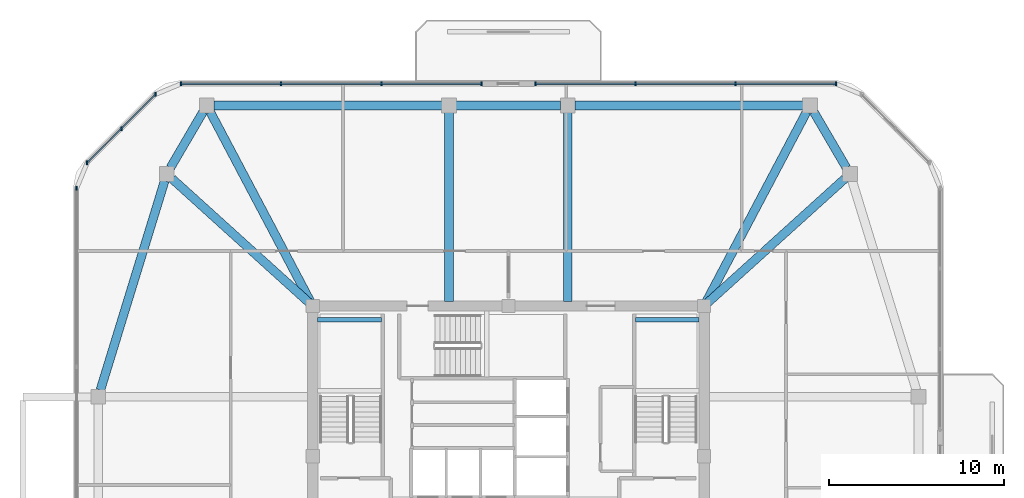
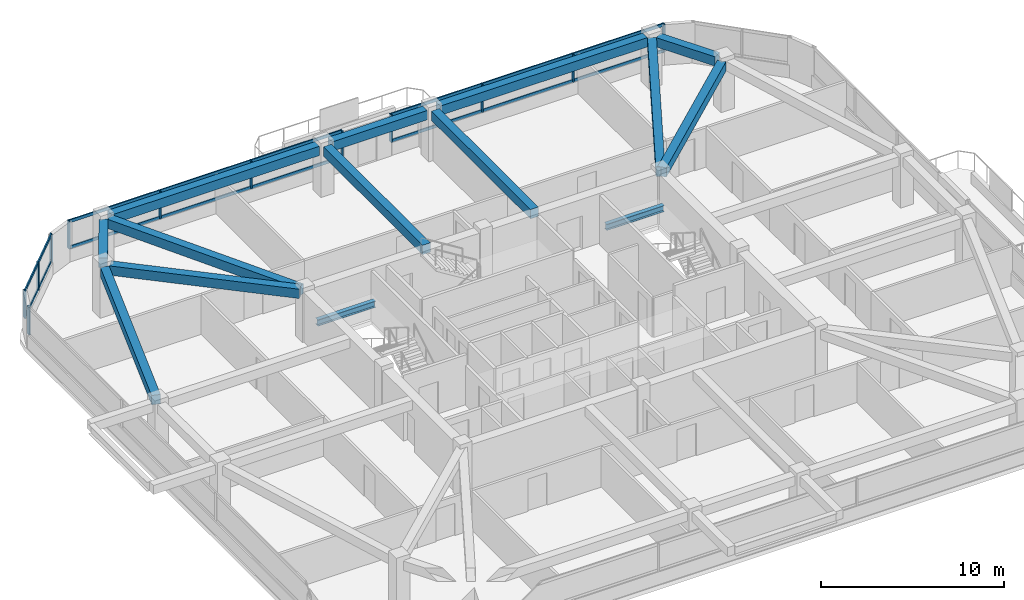
# One storey, part 6 of 14: 18 members, 14 beams, 4 elements without a shape of their own.
"""IFC4 building model written with IfcOpenShell, lengths in metres."""

from ifc_helpers import new_model, si_unit, derived_unit, direction, frame, origin, origin_2d, place, context, subcontext, project, spatial, rectangle, i_section, extrude, material, material_profile, profile_set, type_object, element, aggregate, save


model = new_model("IFC4")

# Units and contexts
model_context = context("Model", 3, precision=1e-05, world=origin(), true_north=direction((0.0, 1.0)))
body_context = subcontext(model_context, "Body", "Model", "MODEL_VIEW")
ifc_project = project(units=[si_unit("LENGTHUNIT", "METRE"), si_unit("AREAUNIT", "SQUARE_METRE"), si_unit("VOLUMEUNIT", "CUBIC_METRE"), si_unit("PLANEANGLEUNIT", "RADIAN"), si_unit("MASSUNIT", "GRAM", prefix="KILO"), derived_unit("THERMALTRANSMITTANCEUNIT", [(si_unit("POWERUNIT", "WATT"), 1), (si_unit("LENGTHUNIT", "METRE"), -2), (si_unit("THERMODYNAMICTEMPERATUREUNIT", "KELVIN"), -1)])], contexts=[model_context])

# Site, building, storey
site_placement = place(None, origin())
site = spatial("IfcSite", under=ifc_project, at=site_placement, CompositionType="ELEMENT")
building_placement = place(site_placement, origin())
building = spatial("IfcBuilding", under=site, at=building_placement, Name="Koralith Skygarden Medical Center", CompositionType="ELEMENT")
storey_placement = place(building_placement, frame((0.0, 0.0, 275.219970703125)))
storey = spatial("IfcBuildingStorey", under=building, at=storey_placement, Name="L71", CompositionType="ELEMENT", Elevation=275.219970703125)

# Curtain wall, members
ifc_material_1 = material(Name="Clear Laminated Glass", Category="glass")
curtain_wall_type = type_object("IfcCurtainWallType", Name="CW-6 Zone 5 Upper Clinical Curtain Wall", PredefinedType="NOTDEFINED", material=ifc_material_1)
curtain_wall_1_placement = place(storey_placement, origin())
curtain_wall_1 = element("IfcCurtainWall", 1, at=curtain_wall_1_placement, inside=storey, type_object=curtain_wall_type, Name="Curtain Wall CW-L71-N-L", PredefinedType="NOTDEFINED")
ifc_material_2 = material(Name="Aluminium 6063-T6", Category="aluminium")
ifc_material_profile_1 = material_profile(ifc_material_2, rectangle(XDim=0.0830078125, YDim=0.219970703125, at=origin_2d()), Name="MUL83X220")
ifc_profile_set_1 = profile_set([ifc_material_profile_1], Name="Aluminium 6063-T6")
member_type_1 = type_object("IfcMemberType", Name="CW-6 Extruded Mullion 83x220", PredefinedType="MULLION", material=ifc_profile_set_1)
member_1_placement = place(storey_placement, frame((55.7451171875, 47.219970703125, 0.85009765625), z_axis=(0.0, 0.0, 1.0), x_axis=(1.0, 0.0, 0.0)))
member_1 = element("IfcMember", 2, at=member_1_placement, type_object=member_type_1, Name="CW-L71-N-L Mullion 1", PredefinedType="MULLION", context=body_context, shape_type="SweptSolid", body=[
    extrude(rectangle(XDim=0.0830078125, YDim=0.219970703125, at=origin_2d()), origin(), (0.0, 0.0, 1.0), 1.83984375),
])
member_2_placement = place(storey_placement, frame((50.010009765625, 47.219970703125, 0.85009765625), z_axis=(0.0, 0.0, 1.0), x_axis=(1.0, 0.0, 0.0)))
member_2 = element("IfcMember", 3, at=member_2_placement, type_object=member_type_1, Name="CW-L71-N-L Mullion 2", PredefinedType="MULLION", context=body_context, shape_type="SweptSolid", body=[
    extrude(rectangle(XDim=0.0830078125, YDim=0.219970703125, at=origin_2d()), origin(), (0.0, 0.0, 1.0), 1.83984375),
])
member_3_placement = place(storey_placement, frame((44.27587890625, 47.219970703125, 0.85009765625), z_axis=(0.0, 0.0, 1.0), x_axis=(1.0, 0.0, 0.0)))
member_3 = element("IfcMember", 4, at=member_3_placement, type_object=member_type_1, Name="CW-L71-N-L Mullion 3", PredefinedType="MULLION", context=body_context, shape_type="SweptSolid", body=[
    extrude(rectangle(XDim=0.0830078125, YDim=0.219970703125, at=origin_2d()), origin(), (0.0, 0.0, 1.0), 1.83984375),
])
member_4_placement = place(storey_placement, frame((38.541015625, 47.219970703125, 0.85009765625), z_axis=(0.0, 0.0, 1.0), x_axis=(1.0, 0.0, 0.0)))
member_4 = element("IfcMember", 5, at=member_4_placement, type_object=member_type_1, Name="CW-L71-N-L Mullion 4", PredefinedType="MULLION", context=body_context, shape_type="SweptSolid", body=[
    extrude(rectangle(XDim=0.0830078125, YDim=0.219970703125, at=origin_2d()), origin(), (0.0, 0.0, 1.0), 1.83984375),
])

curtain_wall_2_placement = place(storey_placement, origin())
curtain_wall_2 = element("IfcCurtainWall", 6, at=curtain_wall_2_placement, inside=storey, type_object=curtain_wall_type, Name="Curtain Wall CW-L71-N-R", PredefinedType="NOTDEFINED")
member_5_placement = place(storey_placement, frame((35.4609375, 47.219970703125, 0.85009765625), z_axis=(0.0, 0.0, 1.0), x_axis=(1.0, 0.0, 0.0)))
member_5 = element("IfcMember", 7, at=member_5_placement, type_object=member_type_1, Name="CW-L71-N-R Mullion 1", PredefinedType="MULLION", context=body_context, shape_type="SweptSolid", body=[
    extrude(rectangle(XDim=0.0830078125, YDim=0.219970703125, at=origin_2d()), origin(), (0.0, 0.0, 1.0), 1.83984375),
])
member_6_placement = place(storey_placement, frame((29.72607421875, 47.219970703125, 0.85009765625), z_axis=(0.0, 0.0, 1.0), x_axis=(1.0, 0.0, 0.0)))
member_6 = element("IfcMember", 8, at=member_6_placement, type_object=member_type_1, Name="CW-L71-N-R Mullion 2", PredefinedType="MULLION", context=body_context, shape_type="SweptSolid", body=[
    extrude(rectangle(XDim=0.0830078125, YDim=0.219970703125, at=origin_2d()), origin(), (0.0, 0.0, 1.0), 1.83984375),
])
member_7_placement = place(storey_placement, frame((23.989990234375, 47.219970703125, 0.85009765625), z_axis=(0.0, 0.0, 1.0), x_axis=(1.0, 0.0, 0.0)))
member_7 = element("IfcMember", 9, at=member_7_placement, type_object=member_type_1, Name="CW-L71-N-R Mullion 3", PredefinedType="MULLION", context=body_context, shape_type="SweptSolid", body=[
    extrude(rectangle(XDim=0.0830078125, YDim=0.219970703125, at=origin_2d()), origin(), (0.0, 0.0, 1.0), 1.83984375),
])
member_8_placement = place(storey_placement, frame((18.2548828125, 47.219970703125, 0.85009765625), z_axis=(0.0, 0.0, 1.0), x_axis=(1.0, 0.0, 0.0)))
member_8 = element("IfcMember", 10, at=member_8_placement, type_object=member_type_1, Name="CW-L71-N-R Mullion 4", PredefinedType="MULLION", context=body_context, shape_type="SweptSolid", body=[
    extrude(rectangle(XDim=0.0830078125, YDim=0.219970703125, at=origin_2d()), origin(), (0.0, 0.0, 1.0), 1.83984375),
])

curtain_wall_3_placement = place(storey_placement, origin())
curtain_wall_3 = element("IfcCurtainWall", 11, at=curtain_wall_3_placement, inside=storey, type_object=curtain_wall_type, Name="Curtain Wall CW-L71-NW", PredefinedType="NOTDEFINED")
member_9_placement = place(storey_placement, frame((16.803955078125, 46.618896484375, 0.85009765625), z_axis=(0.0, 0.0, 1.0), x_axis=(1.0, 0.0, 0.0)))
member_9 = element("IfcMember", 12, at=member_9_placement, type_object=member_type_1, Name="CW-L71-NW Mullion 1", PredefinedType="MULLION", context=body_context, shape_type="SweptSolid", body=[
    extrude(rectangle(XDim=0.0830078125, YDim=0.219970703125, at=origin_2d()), origin(), (0.0, 0.0, 1.0), 1.83984375),
])
member_10_placement = place(storey_placement, frame((14.842041015625, 44.656982421875, 0.85009765625), z_axis=(0.0, 0.0, 1.0), x_axis=(1.0, 0.0, 0.0)))
member_10 = element("IfcMember", 13, at=member_10_placement, type_object=member_type_1, Name="CW-L71-NW Mullion 2", PredefinedType="MULLION", context=body_context, shape_type="SweptSolid", body=[
    extrude(rectangle(XDim=0.0830078125, YDim=0.219970703125, at=origin_2d()), origin(), (0.0, 0.0, 1.0), 1.83984375),
])
member_11_placement = place(storey_placement, frame((12.881103515625, 42.696044921875, 0.85009765625), z_axis=(0.0, 0.0, 1.0), x_axis=(1.0, 0.0, 0.0)))
member_11 = element("IfcMember", 14, at=member_11_placement, type_object=member_type_1, Name="CW-L71-NW Mullion 3", PredefinedType="MULLION", context=body_context, shape_type="SweptSolid", body=[
    extrude(rectangle(XDim=0.0830078125, YDim=0.219970703125, at=origin_2d()), origin(), (0.0, 0.0, 1.0), 1.83984375),
])

# Curtain wall, member
curtain_wall_4_placement = place(storey_placement, origin())
curtain_wall_4 = element("IfcCurtainWall", 15, at=curtain_wall_4_placement, inside=storey, type_object=curtain_wall_type, Name="Curtain Wall CW-L71-W", PredefinedType="NOTDEFINED")
member_12_placement = place(storey_placement, frame((12.280029296875, 41.2451171875, 0.85009765625), z_axis=(0.0, 0.0, 1.0), x_axis=(1.0, 0.0, 0.0)))
member_12 = element("IfcMember", 16, at=member_12_placement, type_object=member_type_1, Name="CW-L71-W Mullion 1", PredefinedType="MULLION", context=body_context, shape_type="SweptSolid", body=[
    extrude(rectangle(XDim=0.0830078125, YDim=0.219970703125, at=origin_2d()), origin(), (0.0, 0.0, 1.0), 1.83984375),
])
aggregate(curtain_wall_4, [member_12])

# Member
ifc_material_profile_2 = material_profile(ifc_material_2, rectangle(XDim=0.077880859375, YDim=0.197998046875, at=origin_2d()), Name="TRN78X198")
ifc_profile_set_2 = profile_set([ifc_material_profile_2], Name="Aluminium 6063-T6")
member_type_2 = type_object("IfcMemberType", Name="CW-6 Thermal Transom 78x198", PredefinedType="USERDEFINED", material=ifc_profile_set_2)
member_13_placement = place(storey_placement, frame((55.7451171875, 47.219970703125, 0.900146484375), z_axis=(-1.0, 0.0, 0.0), x_axis=(0.0, -1.0, 0.0)))
member_13 = element("IfcMember", 17, at=member_13_placement, type_object=member_type_2, Name="CW-L71-N-L Transom 1", ObjectType="TRANSOM", PredefinedType="USERDEFINED", context=body_context, shape_type="SweptSolid", body=[
    extrude(rectangle(XDim=0.077880859375, YDim=0.197998046875, at=origin_2d()), origin(), (0.0, 0.0, 1.0), 17.2041015625),
])

member_14_placement = place(storey_placement, frame((55.7451171875, 47.219970703125, 2.64013671875), z_axis=(-1.0, 0.0, 0.0), x_axis=(0.0, -1.0, 0.0)))
member_14 = element("IfcMember", 18, at=member_14_placement, type_object=member_type_2, Name="CW-L71-N-L Transom 2", ObjectType="TRANSOM", PredefinedType="USERDEFINED", context=body_context, shape_type="SweptSolid", body=[
    extrude(rectangle(XDim=0.077880859375, YDim=0.197998046875, at=origin_2d()), origin(), (0.0, 0.0, 1.0), 17.2041015625),
])

aggregate(curtain_wall_1, [member_1, member_2, member_3, member_4, member_13, member_14])

member_15_placement = place(storey_placement, frame((35.4609375, 47.219970703125, 0.900146484375), z_axis=(-1.0, 0.0, 0.0), x_axis=(0.0, -1.0, 0.0)))
member_15 = element("IfcMember", 19, at=member_15_placement, type_object=member_type_2, Name="CW-L71-N-R Transom 1", ObjectType="TRANSOM", PredefinedType="USERDEFINED", context=body_context, shape_type="SweptSolid", body=[
    extrude(rectangle(XDim=0.077880859375, YDim=0.197998046875, at=origin_2d()), origin(), (0.0, 0.0, 1.0), 17.2060546875),
])

member_16_placement = place(storey_placement, frame((35.4609375, 47.219970703125, 2.64013671875), z_axis=(-1.0, 0.0, 0.0), x_axis=(0.0, -1.0, 0.0)))
member_16 = element("IfcMember", 20, at=member_16_placement, type_object=member_type_2, Name="CW-L71-N-R Transom 2", ObjectType="TRANSOM", PredefinedType="USERDEFINED", context=body_context, shape_type="SweptSolid", body=[
    extrude(rectangle(XDim=0.077880859375, YDim=0.197998046875, at=origin_2d()), origin(), (0.0, 0.0, 1.0), 17.2060546875),
])

aggregate(curtain_wall_2, [member_5, member_6, member_7, member_8, member_15, member_16])

member_17_placement = place(storey_placement, frame((16.803955078125, 46.618896484375, 0.900146484375), z_axis=(-0.707106781187, -0.707106781187, 0.0), x_axis=(0.707106781187, -0.707106781187, 0.0)))
member_17 = element("IfcMember", 21, at=member_17_placement, type_object=member_type_2, Name="CW-L71-NW Transom 1", ObjectType="TRANSOM", PredefinedType="USERDEFINED", context=body_context, shape_type="SweptSolid", body=[
    extrude(rectangle(XDim=0.077880859375, YDim=0.197998046875, at=origin_2d()), origin(), (0.0, 0.0, 1.0), 5.5478515625),
])

member_18_placement = place(storey_placement, frame((16.803955078125, 46.618896484375, 2.64013671875), z_axis=(-0.707106781187, -0.707106781187, 0.0), x_axis=(0.707106781187, -0.707106781187, 0.0)))
member_18 = element("IfcMember", 22, at=member_18_placement, type_object=member_type_2, Name="CW-L71-NW Transom 2", ObjectType="TRANSOM", PredefinedType="USERDEFINED", context=body_context, shape_type="SweptSolid", body=[
    extrude(rectangle(XDim=0.077880859375, YDim=0.197998046875, at=origin_2d()), origin(), (0.0, 0.0, 1.0), 5.5478515625),
])

aggregate(curtain_wall_3, [member_9, member_10, member_11, member_17, member_18])

# Beams
ifc_material_3 = material(Name="Steel ASTM A992 Grade 50", Category="steel")
ifc_material_profile_3 = material_profile(ifc_material_3, i_section(OverallWidth=0.260009765625, OverallDepth=0.4150390625, WebThickness=0.010009765625, FlangeThickness=0.016845703125, at=origin_2d()), Name="W16X67")
ifc_profile_set_3 = profile_set([ifc_material_profile_3], Name="Steel ASTM A992 Grade 50")
beam_type_1 = type_object("IfcBeamType", Name="Clinical Floor Joist W16X67", PredefinedType="JOIST", material=ifc_profile_set_3)
for number, where, z_axis, x_axis, name in (
    (23, (26.080078125, 33.699951171875, 1.39306640625), (1.0, 0.0, 0.0), (0.0, 1.0, 0.0), "L71 Stair ST1 Half-Landing Support Beam 1B"),
    (24, (44.280029296875, 33.699951171875, 1.39306640625), (1.0, 0.0, 0.0), (0.0, 1.0, 0.0), "L71 Stair ST2 Half-Landing Support Beam 1B"),
):
    element("IfcBeam", number, at=place(storey_placement, frame(where, z_axis=z_axis, x_axis=x_axis)), inside=storey, type_object=beam_type_1, Name=name, PredefinedType="JOIST", context=body_context, shape_type="SweptSolid", body=[
        extrude(i_section(OverallWidth=0.260009765625, OverallDepth=0.4150390625, WebThickness=0.010009765625, FlangeThickness=0.016845703125, at=origin_2d()), origin(), (0.0, 0.0, 1.0), 3.639892578125),
    ])
ifc_material_4 = material(Name="Concrete C45/55", Category="concrete")
ifc_material_profile_4 = material_profile(ifc_material_4, rectangle(XDim=0.5, YDim=0.6201171875, at=origin_2d()), Name="RCB500X620")
ifc_profile_set_4 = profile_set([ifc_material_profile_4], Name="Concrete C45/55")
beam_type_2 = type_object("IfcBeamType", Name="Upper Radial Collector Beam RCB500X620", PredefinedType="BEAM", material=ifc_profile_set_4)
beam_1_placement = place(storey_placement, frame((48.385009765625, 34.66796875, 3.010009765625), z_axis=(0.741747768548, 0.670678945438, 0.0), x_axis=(-0.670678945438, 0.741747768548, 0.0)))
element("IfcBeam", 25, at=beam_1_placement, inside=storey, type_object=beam_type_2, Name="L71 Radial Collector Beam RB-10", PredefinedType="BEAM", context=body_context, shape_type="SweptSolid", body=[
    extrude(rectangle(XDim=0.5, YDim=0.6201171875, at=origin_2d()), origin(), (0.0, 0.0, 1.0), 10.611572265625),
])
beam_2_placement = place(storey_placement, frame((48.31689453125, 34.720947265625, 3.010009765625), z_axis=(0.467256895772, 0.884121594213, 0.0), x_axis=(-0.884121594213, 0.467256895772, 0.0)))
element("IfcBeam", 26, at=beam_2_placement, inside=storey, type_object=beam_type_2, Name="L71 Radial Collector Beam RB-11", PredefinedType="BEAM", context=body_context, shape_type="SweptSolid", body=[
    extrude(rectangle(XDim=0.5, YDim=0.6201171875, at=origin_2d()), origin(), (0.0, 0.0, 1.0), 12.3251953125),
])
for number, where, z_axis, x_axis, name in (
    (27, (40.39990234375, 34.75, 3.010009765625), (0.0, 1.0, 0.0), (-1.0, 0.0, 0.0), "L71 Radial Collector Beam RB-12"),
    (28, (33.60009765625, 34.75, 3.010009765625), (0.0, 1.0, 0.0), (-1.0, 0.0, 0.0), "L71 Radial Collector Beam RB-13"),
):
    element("IfcBeam", number, at=place(storey_placement, frame(where, z_axis=z_axis, x_axis=x_axis)), inside=storey, type_object=beam_type_2, Name=name, PredefinedType="BEAM", context=body_context, shape_type="SweptSolid", body=[
        extrude(rectangle(XDim=0.5, YDim=0.6201171875, at=origin_2d()), origin(), (0.0, 0.0, 1.0), 10.820068359375),
    ])
beam_3_placement = place(storey_placement, frame((25.68310546875, 34.720947265625, 3.010009765625), z_axis=(-0.467256895772, 0.884121594213, 0.0), x_axis=(-0.884121594213, -0.467256895772, 0.0)))
element("IfcBeam", 29, at=beam_3_placement, inside=storey, type_object=beam_type_2, Name="L71 Radial Collector Beam RB-14", PredefinedType="BEAM", context=body_context, shape_type="SweptSolid", body=[
    extrude(rectangle(XDim=0.5, YDim=0.6201171875, at=origin_2d()), origin(), (0.0, 0.0, 1.0), 12.3251953125),
])
beam_4_placement = place(storey_placement, frame((25.614990234375, 34.66796875, 3.010009765625), z_axis=(-0.741747768548, 0.670678945438, 0.0), x_axis=(-0.670678945438, -0.741747768548, 0.0)))
element("IfcBeam", 30, at=beam_4_placement, inside=storey, type_object=beam_type_2, Name="L71 Radial Collector Beam RB-15", PredefinedType="BEAM", context=body_context, shape_type="SweptSolid", body=[
    extrude(rectangle(XDim=0.5, YDim=0.6201171875, at=origin_2d()), origin(), (0.0, 0.0, 1.0), 10.611572265625),
])
ifc_material_profile_5 = material_profile(ifc_material_4, rectangle(XDim=0.5, YDim=0.6201171875, at=origin_2d()), Name="RCB500X620")
ifc_profile_set_5 = profile_set([ifc_material_profile_5], Name="Concrete C45/55")
beam_type_3 = type_object("IfcBeamType", Name="Zone 4-5 Spandrel Beam RCB500X620", PredefinedType="SPANDREL", material=ifc_profile_set_5)
beam_5_placement = place(storey_placement, frame((56.35302734375, 42.4140625, 3.010009765625), z_axis=(-0.50473571007, 0.863273921175, 0.0), x_axis=(-0.863273921175, -0.50473571007, 0.0)))
element("IfcBeam", 31, at=beam_5_placement, inside=storey, type_object=beam_type_3, Name="L71 Perimeter Spandrel Beam SP-10", PredefinedType="SPANDREL", context=body_context, shape_type="SweptSolid", body=[
    extrude(rectangle(XDim=0.5, YDim=0.6201171875, at=origin_2d()), origin(), (0.0, 0.0, 1.0), 3.720703125),
])
beam_6_placement = place(storey_placement, frame((53.85791015625, 45.97998046875, 3.010009765625), z_axis=(-1.0, 0.0, 0.0), x_axis=(0.0, -1.0, 0.0)))
element("IfcBeam", 32, at=beam_6_placement, inside=storey, type_object=beam_type_3, Name="L71 Perimeter Spandrel Beam SP-11", PredefinedType="SPANDREL", context=body_context, shape_type="SweptSolid", body=[
    extrude(rectangle(XDim=0.5, YDim=0.6201171875, at=origin_2d()), origin(), (0.0, 0.0, 1.0), 13.0478515625),
])
beam_7_placement = place(storey_placement, frame((39.989990234375, 45.97998046875, 3.010009765625), z_axis=(-1.0, 0.0, 0.0), x_axis=(0.0, -1.0, 0.0)))
element("IfcBeam", 33, at=beam_7_placement, inside=storey, type_object=beam_type_3, Name="L71 Perimeter Spandrel Beam SP-12", PredefinedType="SPANDREL", context=body_context, shape_type="SweptSolid", body=[
    extrude(rectangle(XDim=0.5, YDim=0.6201171875, at=origin_2d()), origin(), (0.0, 0.0, 1.0), 5.97998046875),
])
beam_8_placement = place(storey_placement, frame((33.18994140625, 45.97998046875, 3.010009765625), z_axis=(-1.0, 0.0, 0.0), x_axis=(0.0, -1.0, 0.0)))
element("IfcBeam", 34, at=beam_8_placement, inside=storey, type_object=beam_type_3, Name="L71 Perimeter Spandrel Beam SP-13", PredefinedType="SPANDREL", context=body_context, shape_type="SweptSolid", body=[
    extrude(rectangle(XDim=0.5, YDim=0.6201171875, at=origin_2d()), origin(), (0.0, 0.0, 1.0), 13.0478515625),
])
beam_9_placement = place(storey_placement, frame((19.52490234375, 45.6259765625, 3.010009765625), z_axis=(-0.50473571007, -0.863273921175, 0.0), x_axis=(0.863273921175, -0.50473571007, 0.0)))
element("IfcBeam", 35, at=beam_9_placement, inside=storey, type_object=beam_type_3, Name="L71 Perimeter Spandrel Beam SP-14", PredefinedType="SPANDREL", context=body_context, shape_type="SweptSolid", body=[
    extrude(rectangle(XDim=0.5, YDim=0.6201171875, at=origin_2d()), origin(), (0.0, 0.0, 1.0), 3.720703125),
])
beam_10_placement = place(storey_placement, frame((17.320068359375, 41.66796875, 3.010009765625), z_axis=(-0.293738023424, -0.955885962652, 0.0), x_axis=(0.955885962652, -0.293738023424, 0.0)))
element("IfcBeam", 36, at=beam_10_placement, inside=storey, type_object=beam_type_3, Name="L71 Perimeter Spandrel Beam SP-15", PredefinedType="SPANDREL", context=body_context, shape_type="SweptSolid", body=[
    extrude(rectangle(XDim=0.5, YDim=0.6201171875, at=origin_2d()), origin(), (0.0, 0.0, 1.0), 12.52880859375),
])

save(model, "model.ifc")
